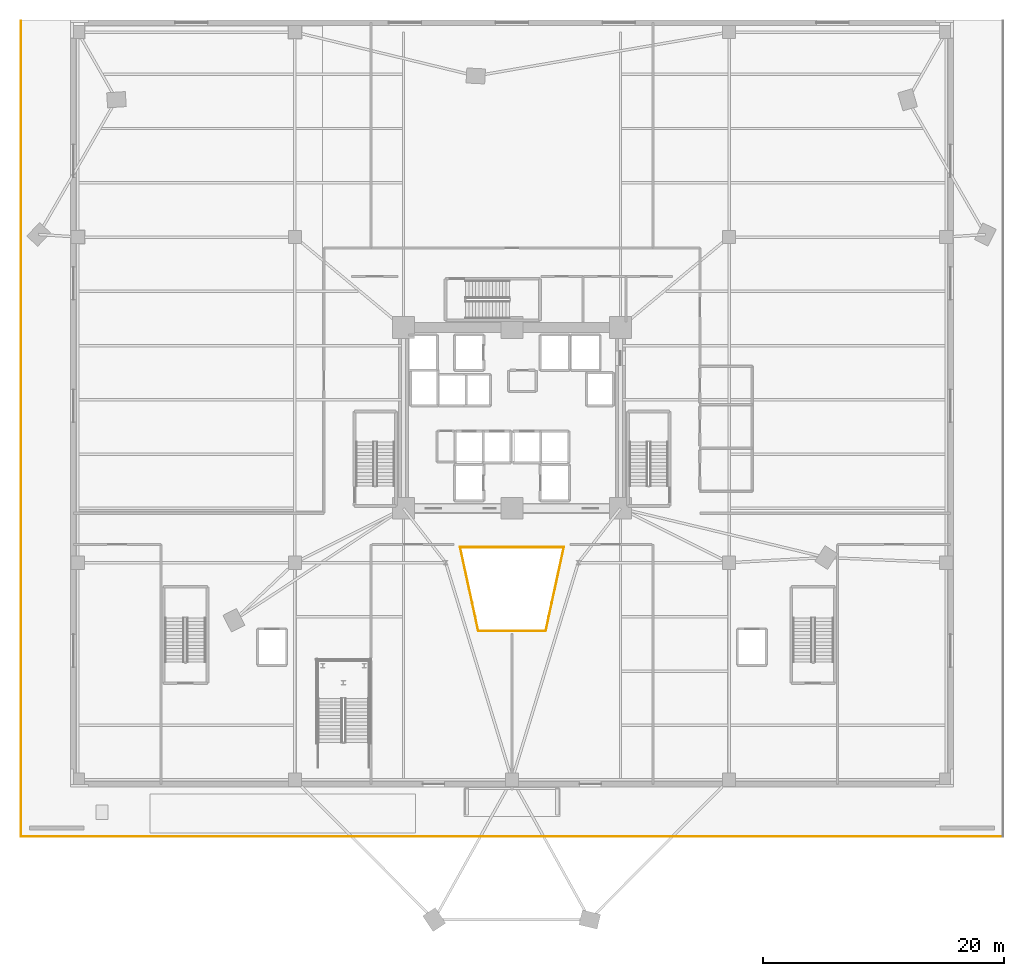
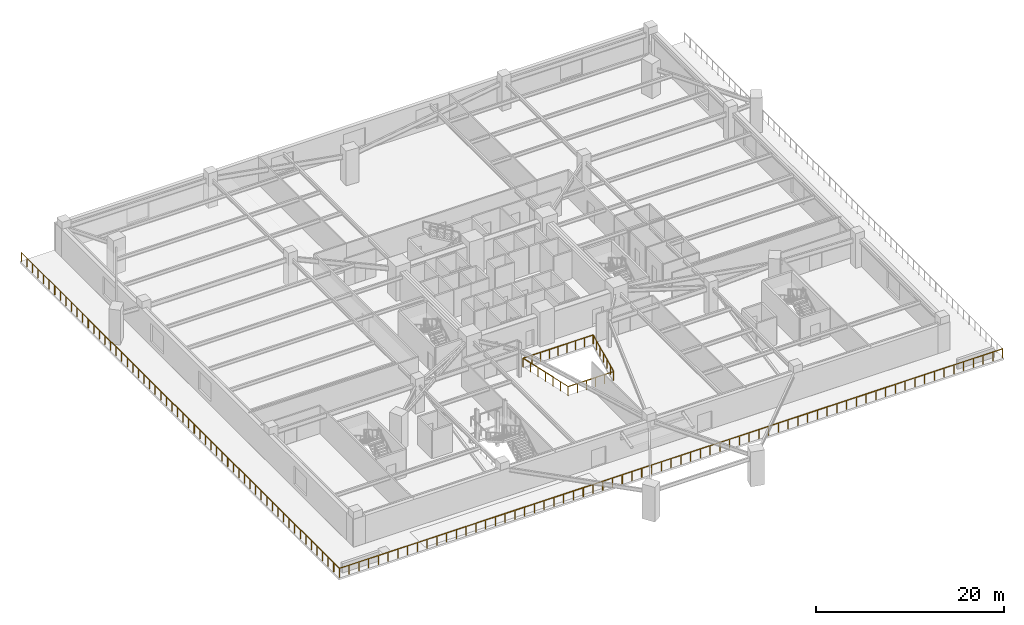
# One storey, part 14 of 19: 6 railings.
"""IFC4 building model written with IfcOpenShell, lengths in metres."""

import ifcopenshell
import ifcopenshell.guid

model = None  # the IFC model being written
_history = None  # IfcOwnerHistory: only IFC2X3 demands one
_inside = {}  # id of a spatial element -> (the spatial element, [elements in it])
_under = {}  # id of a project, library or spatial element -> (it, [spatial elements below it])
_declared = {}  # id of a project -> (the project, [libraries it declares])
_typed = {}  # id of a type object -> (the type object, [elements of that type])
_made_of = {}  # id of a material, layer set ... -> (it, [elements and type objects made of it])


def new_model(schema):
    """Start an empty IFC model of exactly this schema.

    Asked for "IFC4X3", IfcOpenShell would pick the latest addendum, in which some entities
    have other attributes; the version numbers below select the first issue.
    IFC2X3 requires an IfcOwnerHistory on every rooted entity: one is made here for all.
    """
    global model, _history
    if schema == "IFC4X3":
        model = ifcopenshell.file(schema_version=(4, 3, 0, 0))
    else:
        model = ifcopenshell.file(schema=schema)
    _inside.clear()
    _under.clear()
    _declared.clear()
    _typed.clear()
    _made_of.clear()
    _history = None
    if model.schema == "IFC2X3":
        org = make("IfcOrganization", Name="unknown")
        user = make(
            "IfcPersonAndOrganization",
            ThePerson=make("IfcPerson", FamilyName="unknown"),
            TheOrganization=org,
        )
        app = make(
            "IfcApplication",
            ApplicationDeveloper=org,
            Version="unknown",
            ApplicationFullName="unknown",
            ApplicationIdentifier="unknown",
        )
        _history = make(
            "IfcOwnerHistory",
            OwningUser=user,
            OwningApplication=app,
            ChangeAction="ADDED",
            CreationDate=0,
        )
    return model


def make(cls, **values):
    """One entity of the class cls with the attributes given. An attribute that is None is left unset."""
    return model.create_entity(
        cls, **{name: value for name, value in values.items() if value is not None}
    )


def rooted(cls, **values):
    """An entity with a GlobalId (a new one), such as an element, a storey or a relation."""
    return make(cls, GlobalId=ifcopenshell.guid.new(), OwnerHistory=_history, **values)


def si_unit(unit_type, name, prefix=None):
    """IfcSIUnit, for example si_unit("LENGTHUNIT", "METRE", prefix="MILLI")."""
    return make("IfcSIUnit", UnitType=unit_type, Prefix=prefix, Name=name)


def assignment(units):
    """IfcUnitAssignment: the units of a project."""
    return None if units is None else make("IfcUnitAssignment", Units=units)


def point(xyz):
    """IfcCartesianPoint."""
    return None if xyz is None else make("IfcCartesianPoint", Coordinates=xyz)


def direction(xyz):
    """IfcDirection."""
    return None if xyz is None else make("IfcDirection", DirectionRatios=xyz)


def frame(location, z_axis=None, x_axis=None):
    """IfcAxis2Placement3D, a coordinate frame: its origin and axes. An axis left out is left unset."""
    return make(
        "IfcAxis2Placement3D",
        Location=point(location),
        Axis=direction(z_axis),
        RefDirection=direction(x_axis),
    )


def frame_2d(location, x_axis=None):
    """IfcAxis2Placement2D, a coordinate frame in the plane: its origin and x axis."""
    return make(
        "IfcAxis2Placement2D", Location=point(location), RefDirection=direction(x_axis)
    )


def origin():
    """The frame at (0, 0, 0) with its axes left unset."""
    return frame((0.0, 0.0, 0.0))


def origin_2d():
    """The frame at (0, 0) in the plane with its x axis left unset."""
    return frame_2d((0.0, 0.0))


def place(relative_to, where):
    """IfcLocalPlacement: puts the frame where relative to a parent placement (None: the world)."""
    return make(
        "IfcLocalPlacement", PlacementRelTo=relative_to, RelativePlacement=where
    )


def context(
    kind, dimensions, precision=None, world=None, true_north=None, identifier=None
):
    """IfcGeometricRepresentationContext, for example the 3D "Model" context."""
    return make(
        "IfcGeometricRepresentationContext",
        ContextIdentifier=identifier,
        ContextType=kind,
        CoordinateSpaceDimension=dimensions,
        Precision=precision,
        WorldCoordinateSystem=world,
        TrueNorth=true_north,
    )


def subcontext(parent, identifier, kind, view, scale=None):
    """IfcGeometricRepresentationSubContext, for example "Body" below "Model"."""
    return make(
        "IfcGeometricRepresentationSubContext",
        ContextIdentifier=identifier,
        ContextType=kind,
        ParentContext=parent,
        TargetScale=scale,
        TargetView=view,
    )


def project(units=None, contexts=None):
    """IfcProject with its units and contexts."""
    return rooted(
        "IfcProject",
        Name="project",
        RepresentationContexts=contexts,
        UnitsInContext=assignment(units),
    )


def spatial(cls, under=None, at=None, **own):
    """A site, building, storey or space (cls), placed at a placement, below another one or the project."""
    s = rooted(cls, ObjectPlacement=at, **own)
    if under is not None:
        _under.setdefault(under.id(), (under, []))[1].append(s)
    return s


def profile(cls, at=None, kind="AREA", **sizes):
    """A parametric profile (cls). Its sizes go by their IFC names, for example OverallWidth=200.0."""
    return make(cls, ProfileType=kind, Position=at, **sizes)


def rectangle(**sizes):
    """IfcRectangleProfileDef."""
    return profile("IfcRectangleProfileDef", **sizes)


def extrude(swept, where, along, depth):
    """IfcExtrudedAreaSolid: the profile swept, set in the frame where, extruded along a direction by depth."""
    return make(
        "IfcExtrudedAreaSolid",
        SweptArea=swept,
        Position=where,
        ExtrudedDirection=direction(along),
        Depth=depth,
    )


def shape(context_of_items, identifier, shape_type, items):
    """IfcShapeRepresentation: the items that make up one representation, for example the "Body"."""
    return make(
        "IfcShapeRepresentation",
        ContextOfItems=context_of_items,
        RepresentationIdentifier=identifier,
        RepresentationType=shape_type,
        Items=items,
    )


def material(Name=None, Category=None):
    """IfcMaterial."""
    return make("IfcMaterial", Name=Name, Category=Category)


def made_of(thing, what):
    """Note that an element or type object is made of a material, layer set ...; save() writes the relation."""
    if what is not None:
        _made_of.setdefault(what.id(), (what, []))[1].append(thing)
    return thing


def type_object(cls, material=None, **own):
    """A type object (cls), such as IfcWallType, which elements share."""
    return made_of(rooted(cls, **own), material)


def element(
    cls,
    number,
    at=None,
    inside=None,
    cuts=None,
    type_object=None,
    material=None,
    context=None,
    identifier="Body",
    shape_type=None,
    held_by="IfcProductDefinitionShape",
    body=None,
    shapes=None,
    **own,
):
    """One element of the class cls, such as IfcWall. Its Tag is "e" and its number.

    at: its placement. inside: the storey or other place that contains it. cuts: it is an
    opening in that element (IfcRelVoidsElement). A single representation is given by context,
    identifier, shape_type and body (its items); several are given by shapes. held_by: the class
    of the entity that holds the representations. save() writes the other relations.
    """
    e = rooted(cls, Tag="e%d" % number, ObjectPlacement=at, **own)
    if body is not None:
        shapes = [shape(context, identifier, shape_type, body)]
    if shapes is not None:
        e.Representation = make(held_by, Representations=shapes)
    if inside is not None:
        _inside.setdefault(inside.id(), (inside, []))[1].append(e)
    if cuts is not None:
        rooted(
            "IfcRelVoidsElement", RelatingBuildingElement=cuts, RelatedOpeningElement=e
        )
    if type_object is not None:
        _typed.setdefault(type_object.id(), (type_object, []))[1].append(e)
    return made_of(e, material)


def aggregate(whole, parts):
    """IfcRelAggregates: a whole, such as a stair, and the parts it consists of."""
    return rooted("IfcRelAggregates", RelatingObject=whole, RelatedObjects=parts)


def save(model, path):
    """Write the relations noted so far, then the file.

    IfcRelAggregates (storeys below a building ...), IfcRelContainedInSpatialStructure (elements
    in a storey), IfcRelDefinesByType, IfcRelAssociatesMaterial and IfcRelDeclares: one each for
    every whole, place, type object, material and project.
    """
    for whole, parts in _under.values():
        aggregate(whole, parts)
    for where, things in _inside.values():
        rooted(
            "IfcRelContainedInSpatialStructure",
            RelatedElements=things,
            RelatingStructure=where,
        )
    for kind, things in _typed.values():
        rooted("IfcRelDefinesByType", RelatedObjects=things, RelatingType=kind)
    for what, things in _made_of.values():
        rooted("IfcRelAssociatesMaterial", RelatedObjects=things, RelatingMaterial=what)
    for by, libraries in _declared.values():
        rooted("IfcRelDeclares", RelatingContext=by, RelatedDefinitions=libraries)
    model.write(path)


model = new_model("IFC4")

# Units and contexts
model_context = context("Model", 3, precision=1e-05, world=origin(), true_north=direction((0.0, 1.0)))
body_context = subcontext(model_context, "Body", "Model", "MODEL_VIEW")
ifc_project = project(units=[si_unit("LENGTHUNIT", "METRE"), si_unit("AREAUNIT", "SQUARE_METRE"), si_unit("VOLUMEUNIT", "CUBIC_METRE"), si_unit("PLANEANGLEUNIT", "RADIAN"), si_unit("MASSUNIT", "GRAM", prefix="KILO")], contexts=[model_context])

# Site, building, storey
site_placement = place(None, origin())
site = spatial("IfcSite", under=ifc_project, at=site_placement, CompositionType="ELEMENT")
building_placement = place(site_placement, origin())
building = spatial("IfcBuilding", under=site, at=building_placement, Name="Liaohun Quay Tower", CompositionType="ELEMENT")
storey_placement = place(building_placement, frame((0.0, 0.0, 18.89990234375)))
storey = spatial("IfcBuildingStorey", under=building, at=storey_placement, Name="L05", CompositionType="ELEMENT", Elevation=18.89990234375)

# Railings
ifc_material_1 = material(Name="Laminated safety glass and stainless steel", Category="steel")
railing_type_1 = type_object("IfcRailingType", Name="RLG-GUARD-ATR", PredefinedType="BALUSTRADE", material=ifc_material_1)
railing_1_placement = place(storey_placement, frame((57.205078125, 36.320068359375, 0.0)))
element("IfcRailing", 1, at=railing_1_placement, inside=storey, type_object=railing_type_1, Name="L05 Atrium Edge Balustrade 1", PredefinedType="BALUSTRADE", context=body_context, shape_type="SweptSolid", body=[
    extrude(rectangle(XDim=0.048095703125, YDim=0.048095703125, at=origin_2d()), frame((0.0, 0.0, 1.17578125), z_axis=(-0.211238067479, 0.977434641727, 0.0), x_axis=(-0.977434641727, -0.211238067479, 0.0)), (0.0, 0.0, 1.0), 7.12060546875),
    extrude(rectangle(XDim=0.0419921875, YDim=0.0419921875, at=origin_2d()), origin(), (0.0, 0.0, 1.0), 1.15185546875),
    extrude(rectangle(XDim=0.0419921875, YDim=0.0419921875, at=origin_2d()), frame((-0.250732421875, 1.159912109375, 0.0)), (0.0, 0.0, 1.0), 1.15185546875),
    extrude(rectangle(XDim=0.0419921875, YDim=0.0419921875, at=origin_2d()), frame((-0.50146484375, 2.320068359375, 0.0)), (0.0, 0.0, 1.0), 1.15185546875),
    extrude(rectangle(XDim=0.0419921875, YDim=0.0419921875, at=origin_2d()), frame((-0.751953125, 3.47998046875, 0.0)), (0.0, 0.0, 1.0), 1.15185546875),
    extrude(rectangle(XDim=0.0419921875, YDim=0.0419921875, at=origin_2d()), frame((-1.002685546875, 4.639892578125, 0.0)), (0.0, 0.0, 1.0), 1.15185546875),
    extrude(rectangle(XDim=0.0419921875, YDim=0.0419921875, at=origin_2d()), frame((-1.25341796875, 5.800048828125, 0.0)), (0.0, 0.0, 1.0), 1.15185546875),
    extrude(rectangle(XDim=0.0419921875, YDim=0.0419921875, at=origin_2d()), frame((-1.504150390625, 6.9599609375, 0.0)), (0.0, 0.0, 1.0), 1.15185546875),
])
railing_2_placement = place(storey_placement, frame((55.700927734375, 43.280029296875, 0.0)))
element("IfcRailing", 2, at=railing_2_placement, inside=storey, type_object=railing_type_1, Name="L05 Atrium Edge Balustrade 2", PredefinedType="BALUSTRADE", context=body_context, shape_type="SweptSolid", body=[
    extrude(rectangle(XDim=0.048095703125, YDim=0.048095703125, at=origin_2d()), frame((0.0, 0.0, 1.17578125), z_axis=(1.0, 0.0, 0.0), x_axis=(0.0, 1.0, 0.0)), (0.0, 0.0, 1.0), 8.59814453125),
    extrude(rectangle(XDim=0.0419921875, YDim=0.0419921875, at=origin_2d()), origin(), (0.0, 0.0, 1.0), 1.15185546875),
    extrude(rectangle(XDim=0.0419921875, YDim=0.0419921875, at=origin_2d()), frame((1.07470703125, 0.0, 0.0)), (0.0, 0.0, 1.0), 1.15185546875),
    extrude(rectangle(XDim=0.0419921875, YDim=0.0419921875, at=origin_2d()), frame((2.1494140625, 0.0, 0.0)), (0.0, 0.0, 1.0), 1.15185546875),
    extrude(rectangle(XDim=0.0419921875, YDim=0.0419921875, at=origin_2d()), frame((3.224365234375, 0.0, 0.0)), (0.0, 0.0, 1.0), 1.15185546875),
    extrude(rectangle(XDim=0.0419921875, YDim=0.0419921875, at=origin_2d()), frame((4.299072265625, 0.0, 0.0)), (0.0, 0.0, 1.0), 1.15185546875),
    extrude(rectangle(XDim=0.0419921875, YDim=0.0419921875, at=origin_2d()), frame((5.373779296875, 0.0, 0.0)), (0.0, 0.0, 1.0), 1.15185546875),
    extrude(rectangle(XDim=0.0419921875, YDim=0.0419921875, at=origin_2d()), frame((6.44873046875, 0.0, 0.0)), (0.0, 0.0, 1.0), 1.15185546875),
    extrude(rectangle(XDim=0.0419921875, YDim=0.0419921875, at=origin_2d()), frame((7.5234375, 0.0, 0.0)), (0.0, 0.0, 1.0), 1.15185546875),
    extrude(rectangle(XDim=0.0419921875, YDim=0.0419921875, at=origin_2d()), frame((8.59814453125, 0.0, 0.0)), (0.0, 0.0, 1.0), 1.15185546875),
])
railing_3_placement = place(storey_placement, frame((64.299072265625, 43.280029296875, 0.0)))
element("IfcRailing", 3, at=railing_3_placement, inside=storey, type_object=railing_type_1, Name="L05 Atrium Edge Balustrade 3", PredefinedType="BALUSTRADE", context=body_context, shape_type="SweptSolid", body=[
    extrude(rectangle(XDim=0.048095703125, YDim=0.048095703125, at=origin_2d()), frame((0.0, 0.0, 1.17578125), z_axis=(-0.211238067479, -0.977434641727, 0.0), x_axis=(0.977434641727, -0.211238067479, 0.0)), (0.0, 0.0, 1.0), 7.12060546875),
    extrude(rectangle(XDim=0.0419921875, YDim=0.0419921875, at=origin_2d()), origin(), (0.0, 0.0, 1.0), 1.15185546875),
    extrude(rectangle(XDim=0.0419921875, YDim=0.0419921875, at=origin_2d()), frame((-0.250732421875, -1.159912109375, 0.0)), (0.0, 0.0, 1.0), 1.15185546875),
    extrude(rectangle(XDim=0.0419921875, YDim=0.0419921875, at=origin_2d()), frame((-0.50146484375, -2.320068359375, 0.0)), (0.0, 0.0, 1.0), 1.15185546875),
    extrude(rectangle(XDim=0.0419921875, YDim=0.0419921875, at=origin_2d()), frame((-0.751953125, -3.47998046875, 0.0)), (0.0, 0.0, 1.0), 1.15185546875),
    extrude(rectangle(XDim=0.0419921875, YDim=0.0419921875, at=origin_2d()), frame((-1.002685546875, -4.639892578125, 0.0)), (0.0, 0.0, 1.0), 1.15185546875),
    extrude(rectangle(XDim=0.0419921875, YDim=0.0419921875, at=origin_2d()), frame((-1.25341796875, -5.800048828125, 0.0)), (0.0, 0.0, 1.0), 1.15185546875),
    extrude(rectangle(XDim=0.0419921875, YDim=0.0419921875, at=origin_2d()), frame((-1.504150390625, -6.9599609375, 0.0)), (0.0, 0.0, 1.0), 1.15185546875),
])
railing_4_placement = place(storey_placement, frame((62.794921875, 36.320068359375, 0.0)))
element("IfcRailing", 4, at=railing_4_placement, inside=storey, type_object=railing_type_1, Name="L05 Atrium Edge Balustrade 4", PredefinedType="BALUSTRADE", context=body_context, shape_type="SweptSolid", body=[
    extrude(rectangle(XDim=0.048095703125, YDim=0.048095703125, at=origin_2d()), frame((0.0, 0.0, 1.17578125), z_axis=(-1.0, 0.0, 0.0), x_axis=(0.0, -1.0, 0.0)), (0.0, 0.0, 1.0), 5.58984375),
    extrude(rectangle(XDim=0.0419921875, YDim=0.0419921875, at=origin_2d()), origin(), (0.0, 0.0, 1.0), 1.15185546875),
    extrude(rectangle(XDim=0.0419921875, YDim=0.0419921875, at=origin_2d()), frame((-1.117919921875, 0.0, 0.0)), (0.0, 0.0, 1.0), 1.15185546875),
    extrude(rectangle(XDim=0.0419921875, YDim=0.0419921875, at=origin_2d()), frame((-2.23583984375, 0.0, 0.0)), (0.0, 0.0, 1.0), 1.15185546875),
    extrude(rectangle(XDim=0.0419921875, YDim=0.0419921875, at=origin_2d()), frame((-3.35400390625, 0.0, 0.0)), (0.0, 0.0, 1.0), 1.15185546875),
    extrude(rectangle(XDim=0.0419921875, YDim=0.0419921875, at=origin_2d()), frame((-4.471923828125, 0.0, 0.0)), (0.0, 0.0, 1.0), 1.15185546875),
    extrude(rectangle(XDim=0.0419921875, YDim=0.0419921875, at=origin_2d()), frame((-5.58984375, 0.0, 0.0)), (0.0, 0.0, 1.0), 1.15185546875),
])
ifc_material_2 = material(Name="Galvanised and powder-coated steel", Category="steel")
railing_type_2 = type_object("IfcRailingType", Name="RLG-GUARD-EXT", PredefinedType="GUARDRAIL", material=ifc_material_2)
railing_5_placement = place(storey_placement, frame((19.300048828125, 19.300048828125, 0.0)))
element("IfcRailing", 5, at=railing_5_placement, inside=storey, type_object=railing_type_2, Name="L05 Stepped Podium Terrace Guardrail 01", PredefinedType="GUARDRAIL", context=body_context, shape_type="SweptSolid", body=[
    extrude(rectangle(XDim=0.048095703125, YDim=0.048095703125, at=origin_2d()), frame((0.0, 0.0, 1.17578125), z_axis=(0.0, 1.0, 0.0), x_axis=(-1.0, 0.0, 0.0)), (0.0, 0.0, 1.0), 67.599853515625),
    extrude(rectangle(XDim=0.0419921875, YDim=0.0419921875, at=origin_2d()), origin(), (0.0, 0.0, 1.0), 1.15185546875),
    extrude(rectangle(XDim=0.0419921875, YDim=0.0419921875, at=origin_2d()), frame((0.0, 1.18603515625, 0.0)), (0.0, 0.0, 1.0), 1.15185546875),
    extrude(rectangle(XDim=0.0419921875, YDim=0.0419921875, at=origin_2d()), frame((0.0, 2.371826171875, 0.0)), (0.0, 0.0, 1.0), 1.15185546875),
    extrude(rectangle(XDim=0.0419921875, YDim=0.0419921875, at=origin_2d()), frame((0.0, 3.557861328125, 0.0)), (0.0, 0.0, 1.0), 1.15185546875),
    extrude(rectangle(XDim=0.0419921875, YDim=0.0419921875, at=origin_2d()), frame((0.0, 4.743896484375, 0.0)), (0.0, 0.0, 1.0), 1.15185546875),
    extrude(rectangle(XDim=0.0419921875, YDim=0.0419921875, at=origin_2d()), frame((0.0, 5.929931640625, 0.0)), (0.0, 0.0, 1.0), 1.15185546875),
    extrude(rectangle(XDim=0.0419921875, YDim=0.0419921875, at=origin_2d()), frame((0.0, 7.11572265625, 0.0)), (0.0, 0.0, 1.0), 1.15185546875),
    extrude(rectangle(XDim=0.0419921875, YDim=0.0419921875, at=origin_2d()), frame((0.0, 8.3017578125, 0.0)), (0.0, 0.0, 1.0), 1.15185546875),
    extrude(rectangle(XDim=0.0419921875, YDim=0.0419921875, at=origin_2d()), frame((0.0, 9.48779296875, 0.0)), (0.0, 0.0, 1.0), 1.15185546875),
    extrude(rectangle(XDim=0.0419921875, YDim=0.0419921875, at=origin_2d()), frame((0.0, 10.673583984375, 0.0)), (0.0, 0.0, 1.0), 1.15185546875),
    extrude(rectangle(XDim=0.0419921875, YDim=0.0419921875, at=origin_2d()), frame((0.0, 11.859619140625, 0.0)), (0.0, 0.0, 1.0), 1.15185546875),
    extrude(rectangle(XDim=0.0419921875, YDim=0.0419921875, at=origin_2d()), frame((0.0, 13.045654296875, 0.0)), (0.0, 0.0, 1.0), 1.15185546875),
    extrude(rectangle(XDim=0.0419921875, YDim=0.0419921875, at=origin_2d()), frame((0.0, 14.2314453125, 0.0)), (0.0, 0.0, 1.0), 1.15185546875),
    extrude(rectangle(XDim=0.0419921875, YDim=0.0419921875, at=origin_2d()), frame((0.0, 15.41748046875, 0.0)), (0.0, 0.0, 1.0), 1.15185546875),
    extrude(rectangle(XDim=0.0419921875, YDim=0.0419921875, at=origin_2d()), frame((0.0, 16.603515625, 0.0)), (0.0, 0.0, 1.0), 1.15185546875),
    extrude(rectangle(XDim=0.0419921875, YDim=0.0419921875, at=origin_2d()), frame((0.0, 17.78955078125, 0.0)), (0.0, 0.0, 1.0), 1.15185546875),
    extrude(rectangle(XDim=0.0419921875, YDim=0.0419921875, at=origin_2d()), frame((0.0, 18.975341796875, 0.0)), (0.0, 0.0, 1.0), 1.15185546875),
    extrude(rectangle(XDim=0.0419921875, YDim=0.0419921875, at=origin_2d()), frame((0.0, 20.161376953125, 0.0)), (0.0, 0.0, 1.0), 1.15185546875),
    extrude(rectangle(XDim=0.0419921875, YDim=0.0419921875, at=origin_2d()), frame((0.0, 21.347412109375, 0.0)), (0.0, 0.0, 1.0), 1.15185546875),
    extrude(rectangle(XDim=0.0419921875, YDim=0.0419921875, at=origin_2d()), frame((0.0, 22.533203125, 0.0)), (0.0, 0.0, 1.0), 1.15185546875),
    extrude(rectangle(XDim=0.0419921875, YDim=0.0419921875, at=origin_2d()), frame((0.0, 23.71923828125, 0.0)), (0.0, 0.0, 1.0), 1.15185546875),
    extrude(rectangle(XDim=0.0419921875, YDim=0.0419921875, at=origin_2d()), frame((0.0, 24.9052734375, 0.0)), (0.0, 0.0, 1.0), 1.15185546875),
    extrude(rectangle(XDim=0.0419921875, YDim=0.0419921875, at=origin_2d()), frame((0.0, 26.091064453125, 0.0)), (0.0, 0.0, 1.0), 1.15185546875),
    extrude(rectangle(XDim=0.0419921875, YDim=0.0419921875, at=origin_2d()), frame((0.0, 27.277099609375, 0.0)), (0.0, 0.0, 1.0), 1.15185546875),
    extrude(rectangle(XDim=0.0419921875, YDim=0.0419921875, at=origin_2d()), frame((0.0, 28.463134765625, 0.0)), (0.0, 0.0, 1.0), 1.15185546875),
    extrude(rectangle(XDim=0.0419921875, YDim=0.0419921875, at=origin_2d()), frame((0.0, 29.649169921875, 0.0)), (0.0, 0.0, 1.0), 1.15185546875),
    extrude(rectangle(XDim=0.0419921875, YDim=0.0419921875, at=origin_2d()), frame((0.0, 30.8349609375, 0.0)), (0.0, 0.0, 1.0), 1.15185546875),
    extrude(rectangle(XDim=0.0419921875, YDim=0.0419921875, at=origin_2d()), frame((0.0, 32.02099609375, 0.0)), (0.0, 0.0, 1.0), 1.15185546875),
    extrude(rectangle(XDim=0.0419921875, YDim=0.0419921875, at=origin_2d()), frame((0.0, 33.20703125, 0.0)), (0.0, 0.0, 1.0), 1.15185546875),
    extrude(rectangle(XDim=0.0419921875, YDim=0.0419921875, at=origin_2d()), frame((0.0, 34.392822265625, 0.0)), (0.0, 0.0, 1.0), 1.15185546875),
    extrude(rectangle(XDim=0.0419921875, YDim=0.0419921875, at=origin_2d()), frame((0.0, 35.578857421875, 0.0)), (0.0, 0.0, 1.0), 1.15185546875),
    extrude(rectangle(XDim=0.0419921875, YDim=0.0419921875, at=origin_2d()), frame((0.0, 36.764892578125, 0.0)), (0.0, 0.0, 1.0), 1.15185546875),
    extrude(rectangle(XDim=0.0419921875, YDim=0.0419921875, at=origin_2d()), frame((0.0, 37.95068359375, 0.0)), (0.0, 0.0, 1.0), 1.15185546875),
    extrude(rectangle(XDim=0.0419921875, YDim=0.0419921875, at=origin_2d()), frame((0.0, 39.13671875, 0.0)), (0.0, 0.0, 1.0), 1.15185546875),
    extrude(rectangle(XDim=0.0419921875, YDim=0.0419921875, at=origin_2d()), frame((0.0, 40.32275390625, 0.0)), (0.0, 0.0, 1.0), 1.15185546875),
    extrude(rectangle(XDim=0.0419921875, YDim=0.0419921875, at=origin_2d()), frame((0.0, 41.5087890625, 0.0)), (0.0, 0.0, 1.0), 1.15185546875),
    extrude(rectangle(XDim=0.0419921875, YDim=0.0419921875, at=origin_2d()), frame((0.0, 42.694580078125, 0.0)), (0.0, 0.0, 1.0), 1.15185546875),
    extrude(rectangle(XDim=0.0419921875, YDim=0.0419921875, at=origin_2d()), frame((0.0, 43.880615234375, 0.0)), (0.0, 0.0, 1.0), 1.15185546875),
    extrude(rectangle(XDim=0.0419921875, YDim=0.0419921875, at=origin_2d()), frame((0.0, 45.066650390625, 0.0)), (0.0, 0.0, 1.0), 1.15185546875),
    extrude(rectangle(XDim=0.0419921875, YDim=0.0419921875, at=origin_2d()), frame((0.0, 46.25244140625, 0.0)), (0.0, 0.0, 1.0), 1.15185546875),
    extrude(rectangle(XDim=0.0419921875, YDim=0.0419921875, at=origin_2d()), frame((0.0, 47.4384765625, 0.0)), (0.0, 0.0, 1.0), 1.15185546875),
    extrude(rectangle(XDim=0.0419921875, YDim=0.0419921875, at=origin_2d()), frame((0.0, 48.62451171875, 0.0)), (0.0, 0.0, 1.0), 1.15185546875),
    extrude(rectangle(XDim=0.0419921875, YDim=0.0419921875, at=origin_2d()), frame((0.0, 49.810302734375, 0.0)), (0.0, 0.0, 1.0), 1.15185546875),
    extrude(rectangle(XDim=0.0419921875, YDim=0.0419921875, at=origin_2d()), frame((0.0, 50.996337890625, 0.0)), (0.0, 0.0, 1.0), 1.15185546875),
    extrude(rectangle(XDim=0.0419921875, YDim=0.0419921875, at=origin_2d()), frame((0.0, 52.182373046875, 0.0)), (0.0, 0.0, 1.0), 1.15185546875),
    extrude(rectangle(XDim=0.0419921875, YDim=0.0419921875, at=origin_2d()), frame((0.0, 53.368408203125, 0.0)), (0.0, 0.0, 1.0), 1.15185546875),
    extrude(rectangle(XDim=0.0419921875, YDim=0.0419921875, at=origin_2d()), frame((0.0, 54.55419921875, 0.0)), (0.0, 0.0, 1.0), 1.15185546875),
    extrude(rectangle(XDim=0.0419921875, YDim=0.0419921875, at=origin_2d()), frame((0.0, 55.740234375, 0.0)), (0.0, 0.0, 1.0), 1.15185546875),
    extrude(rectangle(XDim=0.0419921875, YDim=0.0419921875, at=origin_2d()), frame((0.0, 56.92626953125, 0.0)), (0.0, 0.0, 1.0), 1.15185546875),
    extrude(rectangle(XDim=0.0419921875, YDim=0.0419921875, at=origin_2d()), frame((0.0, 58.112060546875, 0.0)), (0.0, 0.0, 1.0), 1.15185546875),
    extrude(rectangle(XDim=0.0419921875, YDim=0.0419921875, at=origin_2d()), frame((0.0, 59.298095703125, 0.0)), (0.0, 0.0, 1.0), 1.15185546875),
    extrude(rectangle(XDim=0.0419921875, YDim=0.0419921875, at=origin_2d()), frame((0.0, 60.484130859375, 0.0)), (0.0, 0.0, 1.0), 1.15185546875),
    extrude(rectangle(XDim=0.0419921875, YDim=0.0419921875, at=origin_2d()), frame((0.0, 61.669921875, 0.0)), (0.0, 0.0, 1.0), 1.15185546875),
    extrude(rectangle(XDim=0.0419921875, YDim=0.0419921875, at=origin_2d()), frame((0.0, 62.85595703125, 0.0)), (0.0, 0.0, 1.0), 1.15185546875),
    extrude(rectangle(XDim=0.0419921875, YDim=0.0419921875, at=origin_2d()), frame((0.0, 64.0419921875, 0.0)), (0.0, 0.0, 1.0), 1.15185546875),
    extrude(rectangle(XDim=0.0419921875, YDim=0.0419921875, at=origin_2d()), frame((0.0, 65.22802734375, 0.0)), (0.0, 0.0, 1.0), 1.15185546875),
    extrude(rectangle(XDim=0.0419921875, YDim=0.0419921875, at=origin_2d()), frame((0.0, 66.413818359375, 0.0)), (0.0, 0.0, 1.0), 1.15185546875),
    extrude(rectangle(XDim=0.0419921875, YDim=0.0419921875, at=origin_2d()), frame((0.0, 67.599853515625, 0.0)), (0.0, 0.0, 1.0), 1.15185546875),
])
railing_6_placement = place(storey_placement, frame((100.699951171875, 19.300048828125, 0.0)))
element("IfcRailing", 6, at=railing_6_placement, inside=storey, type_object=railing_type_2, Name="L05 Stepped Podium Terrace Guardrail 03", PredefinedType="GUARDRAIL", context=body_context, shape_type="SweptSolid", body=[
    extrude(rectangle(XDim=0.048095703125, YDim=0.048095703125, at=origin_2d()), frame((0.0, 0.0, 1.17578125), z_axis=(-1.0, 0.0, 0.0), x_axis=(0.0, -1.0, 0.0)), (0.0, 0.0, 1.0), 81.39990234375),
    extrude(rectangle(XDim=0.0419921875, YDim=0.0419921875, at=origin_2d()), origin(), (0.0, 0.0, 1.0), 1.15185546875),
    extrude(rectangle(XDim=0.0419921875, YDim=0.0419921875, at=origin_2d()), frame((-1.197021484375, 0.0, 0.0)), (0.0, 0.0, 1.0), 1.15185546875),
    extrude(rectangle(XDim=0.0419921875, YDim=0.0419921875, at=origin_2d()), frame((-2.39404296875, 0.0, 0.0)), (0.0, 0.0, 1.0), 1.15185546875),
    extrude(rectangle(XDim=0.0419921875, YDim=0.0419921875, at=origin_2d()), frame((-3.591064453125, 0.0, 0.0)), (0.0, 0.0, 1.0), 1.15185546875),
    extrude(rectangle(XDim=0.0419921875, YDim=0.0419921875, at=origin_2d()), frame((-4.788330078125, 0.0, 0.0)), (0.0, 0.0, 1.0), 1.15185546875),
    extrude(rectangle(XDim=0.0419921875, YDim=0.0419921875, at=origin_2d()), frame((-5.9853515625, 0.0, 0.0)), (0.0, 0.0, 1.0), 1.15185546875),
    extrude(rectangle(XDim=0.0419921875, YDim=0.0419921875, at=origin_2d()), frame((-7.182373046875, 0.0, 0.0)), (0.0, 0.0, 1.0), 1.15185546875),
    extrude(rectangle(XDim=0.0419921875, YDim=0.0419921875, at=origin_2d()), frame((-8.37939453125, 0.0, 0.0)), (0.0, 0.0, 1.0), 1.15185546875),
    extrude(rectangle(XDim=0.0419921875, YDim=0.0419921875, at=origin_2d()), frame((-9.576416015625, 0.0, 0.0)), (0.0, 0.0, 1.0), 1.15185546875),
    extrude(rectangle(XDim=0.0419921875, YDim=0.0419921875, at=origin_2d()), frame((-10.7734375, 0.0, 0.0)), (0.0, 0.0, 1.0), 1.15185546875),
    extrude(rectangle(XDim=0.0419921875, YDim=0.0419921875, at=origin_2d()), frame((-11.970458984375, 0.0, 0.0)), (0.0, 0.0, 1.0), 1.15185546875),
    extrude(rectangle(XDim=0.0419921875, YDim=0.0419921875, at=origin_2d()), frame((-13.167724609375, 0.0, 0.0)), (0.0, 0.0, 1.0), 1.15185546875),
    extrude(rectangle(XDim=0.0419921875, YDim=0.0419921875, at=origin_2d()), frame((-14.36474609375, 0.0, 0.0)), (0.0, 0.0, 1.0), 1.15185546875),
    extrude(rectangle(XDim=0.0419921875, YDim=0.0419921875, at=origin_2d()), frame((-15.561767578125, 0.0, 0.0)), (0.0, 0.0, 1.0), 1.15185546875),
    extrude(rectangle(XDim=0.0419921875, YDim=0.0419921875, at=origin_2d()), frame((-16.7587890625, 0.0, 0.0)), (0.0, 0.0, 1.0), 1.15185546875),
    extrude(rectangle(XDim=0.0419921875, YDim=0.0419921875, at=origin_2d()), frame((-17.955810546875, 0.0, 0.0)), (0.0, 0.0, 1.0), 1.15185546875),
    extrude(rectangle(XDim=0.0419921875, YDim=0.0419921875, at=origin_2d()), frame((-19.15283203125, 0.0, 0.0)), (0.0, 0.0, 1.0), 1.15185546875),
    extrude(rectangle(XDim=0.0419921875, YDim=0.0419921875, at=origin_2d()), frame((-20.35009765625, 0.0, 0.0)), (0.0, 0.0, 1.0), 1.15185546875),
    extrude(rectangle(XDim=0.0419921875, YDim=0.0419921875, at=origin_2d()), frame((-21.547119140625, 0.0, 0.0)), (0.0, 0.0, 1.0), 1.15185546875),
    extrude(rectangle(XDim=0.0419921875, YDim=0.0419921875, at=origin_2d()), frame((-22.744140625, 0.0, 0.0)), (0.0, 0.0, 1.0), 1.15185546875),
    extrude(rectangle(XDim=0.0419921875, YDim=0.0419921875, at=origin_2d()), frame((-23.941162109375, 0.0, 0.0)), (0.0, 0.0, 1.0), 1.15185546875),
    extrude(rectangle(XDim=0.0419921875, YDim=0.0419921875, at=origin_2d()), frame((-25.13818359375, 0.0, 0.0)), (0.0, 0.0, 1.0), 1.15185546875),
    extrude(rectangle(XDim=0.0419921875, YDim=0.0419921875, at=origin_2d()), frame((-26.335205078125, 0.0, 0.0)), (0.0, 0.0, 1.0), 1.15185546875),
    extrude(rectangle(XDim=0.0419921875, YDim=0.0419921875, at=origin_2d()), frame((-27.5322265625, 0.0, 0.0)), (0.0, 0.0, 1.0), 1.15185546875),
    extrude(rectangle(XDim=0.0419921875, YDim=0.0419921875, at=origin_2d()), frame((-28.7294921875, 0.0, 0.0)), (0.0, 0.0, 1.0), 1.15185546875),
    extrude(rectangle(XDim=0.0419921875, YDim=0.0419921875, at=origin_2d()), frame((-29.926513671875, 0.0, 0.0)), (0.0, 0.0, 1.0), 1.15185546875),
    extrude(rectangle(XDim=0.0419921875, YDim=0.0419921875, at=origin_2d()), frame((-31.12353515625, 0.0, 0.0)), (0.0, 0.0, 1.0), 1.15185546875),
    extrude(rectangle(XDim=0.0419921875, YDim=0.0419921875, at=origin_2d()), frame((-32.320556640625, 0.0, 0.0)), (0.0, 0.0, 1.0), 1.15185546875),
    extrude(rectangle(XDim=0.0419921875, YDim=0.0419921875, at=origin_2d()), frame((-33.517578125, 0.0, 0.0)), (0.0, 0.0, 1.0), 1.15185546875),
    extrude(rectangle(XDim=0.0419921875, YDim=0.0419921875, at=origin_2d()), frame((-34.714599609375, 0.0, 0.0)), (0.0, 0.0, 1.0), 1.15185546875),
    extrude(rectangle(XDim=0.0419921875, YDim=0.0419921875, at=origin_2d()), frame((-35.91162109375, 0.0, 0.0)), (0.0, 0.0, 1.0), 1.15185546875),
    extrude(rectangle(XDim=0.0419921875, YDim=0.0419921875, at=origin_2d()), frame((-37.10888671875, 0.0, 0.0)), (0.0, 0.0, 1.0), 1.15185546875),
    extrude(rectangle(XDim=0.0419921875, YDim=0.0419921875, at=origin_2d()), frame((-38.305908203125, 0.0, 0.0)), (0.0, 0.0, 1.0), 1.15185546875),
    extrude(rectangle(XDim=0.0419921875, YDim=0.0419921875, at=origin_2d()), frame((-39.5029296875, 0.0, 0.0)), (0.0, 0.0, 1.0), 1.15185546875),
    extrude(rectangle(XDim=0.0419921875, YDim=0.0419921875, at=origin_2d()), frame((-40.699951171875, 0.0, 0.0)), (0.0, 0.0, 1.0), 1.15185546875),
    extrude(rectangle(XDim=0.0419921875, YDim=0.0419921875, at=origin_2d()), frame((-41.89697265625, 0.0, 0.0)), (0.0, 0.0, 1.0), 1.15185546875),
    extrude(rectangle(XDim=0.0419921875, YDim=0.0419921875, at=origin_2d()), frame((-43.093994140625, 0.0, 0.0)), (0.0, 0.0, 1.0), 1.15185546875),
    extrude(rectangle(XDim=0.0419921875, YDim=0.0419921875, at=origin_2d()), frame((-44.291015625, 0.0, 0.0)), (0.0, 0.0, 1.0), 1.15185546875),
    extrude(rectangle(XDim=0.0419921875, YDim=0.0419921875, at=origin_2d()), frame((-45.48828125, 0.0, 0.0)), (0.0, 0.0, 1.0), 1.15185546875),
    extrude(rectangle(XDim=0.0419921875, YDim=0.0419921875, at=origin_2d()), frame((-46.685302734375, 0.0, 0.0)), (0.0, 0.0, 1.0), 1.15185546875),
    extrude(rectangle(XDim=0.0419921875, YDim=0.0419921875, at=origin_2d()), frame((-47.88232421875, 0.0, 0.0)), (0.0, 0.0, 1.0), 1.15185546875),
    extrude(rectangle(XDim=0.0419921875, YDim=0.0419921875, at=origin_2d()), frame((-49.079345703125, 0.0, 0.0)), (0.0, 0.0, 1.0), 1.15185546875),
    extrude(rectangle(XDim=0.0419921875, YDim=0.0419921875, at=origin_2d()), frame((-50.2763671875, 0.0, 0.0)), (0.0, 0.0, 1.0), 1.15185546875),
    extrude(rectangle(XDim=0.0419921875, YDim=0.0419921875, at=origin_2d()), frame((-51.473388671875, 0.0, 0.0)), (0.0, 0.0, 1.0), 1.15185546875),
    extrude(rectangle(XDim=0.0419921875, YDim=0.0419921875, at=origin_2d()), frame((-52.67041015625, 0.0, 0.0)), (0.0, 0.0, 1.0), 1.15185546875),
    extrude(rectangle(XDim=0.0419921875, YDim=0.0419921875, at=origin_2d()), frame((-53.86767578125, 0.0, 0.0)), (0.0, 0.0, 1.0), 1.15185546875),
    extrude(rectangle(XDim=0.0419921875, YDim=0.0419921875, at=origin_2d()), frame((-55.064697265625, 0.0, 0.0)), (0.0, 0.0, 1.0), 1.15185546875),
    extrude(rectangle(XDim=0.0419921875, YDim=0.0419921875, at=origin_2d()), frame((-56.26171875, 0.0, 0.0)), (0.0, 0.0, 1.0), 1.15185546875),
    extrude(rectangle(XDim=0.0419921875, YDim=0.0419921875, at=origin_2d()), frame((-57.458740234375, 0.0, 0.0)), (0.0, 0.0, 1.0), 1.15185546875),
    extrude(rectangle(XDim=0.0419921875, YDim=0.0419921875, at=origin_2d()), frame((-58.65576171875, 0.0, 0.0)), (0.0, 0.0, 1.0), 1.15185546875),
    extrude(rectangle(XDim=0.0419921875, YDim=0.0419921875, at=origin_2d()), frame((-59.852783203125, 0.0, 0.0)), (0.0, 0.0, 1.0), 1.15185546875),
    extrude(rectangle(XDim=0.0419921875, YDim=0.0419921875, at=origin_2d()), frame((-61.0498046875, 0.0, 0.0)), (0.0, 0.0, 1.0), 1.15185546875),
    extrude(rectangle(XDim=0.0419921875, YDim=0.0419921875, at=origin_2d()), frame((-62.2470703125, 0.0, 0.0)), (0.0, 0.0, 1.0), 1.15185546875),
    extrude(rectangle(XDim=0.0419921875, YDim=0.0419921875, at=origin_2d()), frame((-63.444091796875, 0.0, 0.0)), (0.0, 0.0, 1.0), 1.15185546875),
    extrude(rectangle(XDim=0.0419921875, YDim=0.0419921875, at=origin_2d()), frame((-64.64111328125, 0.0, 0.0)), (0.0, 0.0, 1.0), 1.15185546875),
    extrude(rectangle(XDim=0.0419921875, YDim=0.0419921875, at=origin_2d()), frame((-65.838134765625, 0.0, 0.0)), (0.0, 0.0, 1.0), 1.15185546875),
    extrude(rectangle(XDim=0.0419921875, YDim=0.0419921875, at=origin_2d()), frame((-67.03515625, 0.0, 0.0)), (0.0, 0.0, 1.0), 1.15185546875),
    extrude(rectangle(XDim=0.0419921875, YDim=0.0419921875, at=origin_2d()), frame((-68.232177734375, 0.0, 0.0)), (0.0, 0.0, 1.0), 1.15185546875),
    extrude(rectangle(XDim=0.0419921875, YDim=0.0419921875, at=origin_2d()), frame((-69.429443359375, 0.0, 0.0)), (0.0, 0.0, 1.0), 1.15185546875),
    extrude(rectangle(XDim=0.0419921875, YDim=0.0419921875, at=origin_2d()), frame((-70.62646484375, 0.0, 0.0)), (0.0, 0.0, 1.0), 1.15185546875),
    extrude(rectangle(XDim=0.0419921875, YDim=0.0419921875, at=origin_2d()), frame((-71.823486328125, 0.0, 0.0)), (0.0, 0.0, 1.0), 1.15185546875),
    extrude(rectangle(XDim=0.0419921875, YDim=0.0419921875, at=origin_2d()), frame((-73.0205078125, 0.0, 0.0)), (0.0, 0.0, 1.0), 1.15185546875),
    extrude(rectangle(XDim=0.0419921875, YDim=0.0419921875, at=origin_2d()), frame((-74.217529296875, 0.0, 0.0)), (0.0, 0.0, 1.0), 1.15185546875),
    extrude(rectangle(XDim=0.0419921875, YDim=0.0419921875, at=origin_2d()), frame((-75.41455078125, 0.0, 0.0)), (0.0, 0.0, 1.0), 1.15185546875),
    extrude(rectangle(XDim=0.0419921875, YDim=0.0419921875, at=origin_2d()), frame((-76.611572265625, 0.0, 0.0)), (0.0, 0.0, 1.0), 1.15185546875),
    extrude(rectangle(XDim=0.0419921875, YDim=0.0419921875, at=origin_2d()), frame((-77.808837890625, 0.0, 0.0)), (0.0, 0.0, 1.0), 1.15185546875),
    extrude(rectangle(XDim=0.0419921875, YDim=0.0419921875, at=origin_2d()), frame((-79.005859375, 0.0, 0.0)), (0.0, 0.0, 1.0), 1.15185546875),
    extrude(rectangle(XDim=0.0419921875, YDim=0.0419921875, at=origin_2d()), frame((-80.202880859375, 0.0, 0.0)), (0.0, 0.0, 1.0), 1.15185546875),
    extrude(rectangle(XDim=0.0419921875, YDim=0.0419921875, at=origin_2d()), frame((-81.39990234375, 0.0, 0.0)), (0.0, 0.0, 1.0), 1.15185546875),
])

save(model, "model.ifc")
